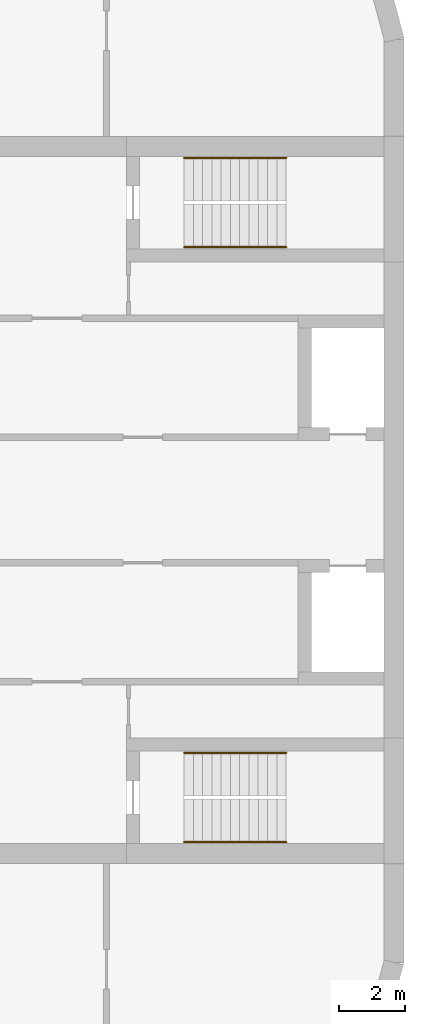
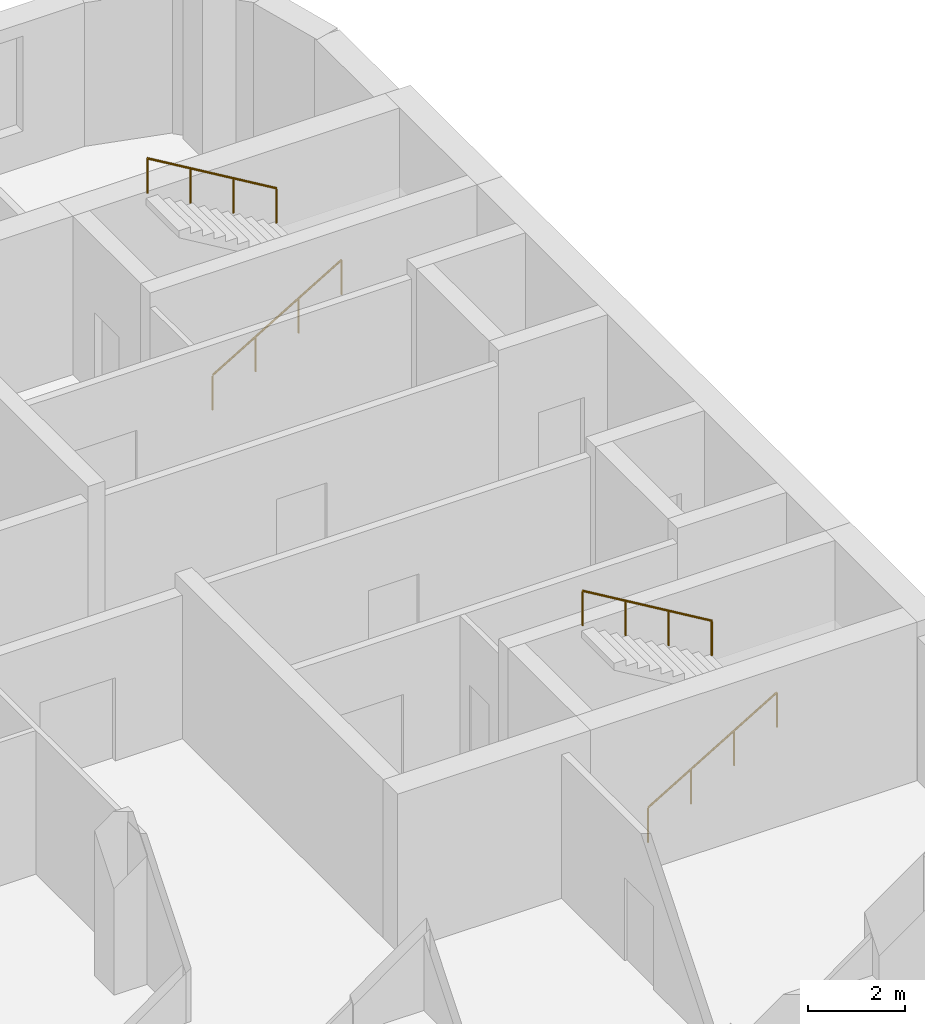
# One storey, part 12 of 12: 4 railings.
"""IFC4 building model written with IfcOpenShell, lengths in metres."""

import ifcopenshell
import ifcopenshell.guid

model = None  # the IFC model being written
_history = None  # IfcOwnerHistory: only IFC2X3 demands one
_inside = {}  # id of a spatial element -> (the spatial element, [elements in it])
_under = {}  # id of a project, library or spatial element -> (it, [spatial elements below it])
_declared = {}  # id of a project -> (the project, [libraries it declares])
_typed = {}  # id of a type object -> (the type object, [elements of that type])
_made_of = {}  # id of a material, layer set ... -> (it, [elements and type objects made of it])


def new_model(schema):
    """Start an empty IFC model of exactly this schema.

    Asked for "IFC4X3", IfcOpenShell would pick the latest addendum, in which some entities
    have other attributes; the version numbers below select the first issue.
    IFC2X3 requires an IfcOwnerHistory on every rooted entity: one is made here for all.
    """
    global model, _history
    if schema == "IFC4X3":
        model = ifcopenshell.file(schema_version=(4, 3, 0, 0))
    else:
        model = ifcopenshell.file(schema=schema)
    _inside.clear()
    _under.clear()
    _declared.clear()
    _typed.clear()
    _made_of.clear()
    _history = None
    if model.schema == "IFC2X3":
        org = make("IfcOrganization", Name="unknown")
        user = make(
            "IfcPersonAndOrganization",
            ThePerson=make("IfcPerson", FamilyName="unknown"),
            TheOrganization=org,
        )
        app = make(
            "IfcApplication",
            ApplicationDeveloper=org,
            Version="unknown",
            ApplicationFullName="unknown",
            ApplicationIdentifier="unknown",
        )
        _history = make(
            "IfcOwnerHistory",
            OwningUser=user,
            OwningApplication=app,
            ChangeAction="ADDED",
            CreationDate=0,
        )
    return model


def make(cls, **values):
    """One entity of the class cls with the attributes given. An attribute that is None is left unset."""
    return model.create_entity(
        cls, **{name: value for name, value in values.items() if value is not None}
    )


def rooted(cls, **values):
    """An entity with a GlobalId (a new one), such as an element, a storey or a relation."""
    return make(cls, GlobalId=ifcopenshell.guid.new(), OwnerHistory=_history, **values)


def si_unit(unit_type, name, prefix=None):
    """IfcSIUnit, for example si_unit("LENGTHUNIT", "METRE", prefix="MILLI")."""
    return make("IfcSIUnit", UnitType=unit_type, Prefix=prefix, Name=name)


def assignment(units):
    """IfcUnitAssignment: the units of a project."""
    return None if units is None else make("IfcUnitAssignment", Units=units)


def point(xyz):
    """IfcCartesianPoint."""
    return None if xyz is None else make("IfcCartesianPoint", Coordinates=xyz)


def direction(xyz):
    """IfcDirection."""
    return None if xyz is None else make("IfcDirection", DirectionRatios=xyz)


def frame(location, z_axis=None, x_axis=None):
    """IfcAxis2Placement3D, a coordinate frame: its origin and axes. An axis left out is left unset."""
    return make(
        "IfcAxis2Placement3D",
        Location=point(location),
        Axis=direction(z_axis),
        RefDirection=direction(x_axis),
    )


def frame_2d(location, x_axis=None):
    """IfcAxis2Placement2D, a coordinate frame in the plane: its origin and x axis."""
    return make(
        "IfcAxis2Placement2D", Location=point(location), RefDirection=direction(x_axis)
    )


def origin():
    """The frame at (0, 0, 0) with its axes left unset."""
    return frame((0.0, 0.0, 0.0))


def origin_2d():
    """The frame at (0, 0) in the plane with its x axis left unset."""
    return frame_2d((0.0, 0.0))


def place(relative_to, where):
    """IfcLocalPlacement: puts the frame where relative to a parent placement (None: the world)."""
    return make(
        "IfcLocalPlacement", PlacementRelTo=relative_to, RelativePlacement=where
    )


def context(
    kind, dimensions, precision=None, world=None, true_north=None, identifier=None
):
    """IfcGeometricRepresentationContext, for example the 3D "Model" context."""
    return make(
        "IfcGeometricRepresentationContext",
        ContextIdentifier=identifier,
        ContextType=kind,
        CoordinateSpaceDimension=dimensions,
        Precision=precision,
        WorldCoordinateSystem=world,
        TrueNorth=true_north,
    )


def subcontext(parent, identifier, kind, view, scale=None):
    """IfcGeometricRepresentationSubContext, for example "Body" below "Model"."""
    return make(
        "IfcGeometricRepresentationSubContext",
        ContextIdentifier=identifier,
        ContextType=kind,
        ParentContext=parent,
        TargetScale=scale,
        TargetView=view,
    )


def project(units=None, contexts=None):
    """IfcProject with its units and contexts."""
    return rooted(
        "IfcProject",
        Name="project",
        RepresentationContexts=contexts,
        UnitsInContext=assignment(units),
    )


def spatial(cls, under=None, at=None, **own):
    """A site, building, storey or space (cls), placed at a placement, below another one or the project."""
    s = rooted(cls, ObjectPlacement=at, **own)
    if under is not None:
        _under.setdefault(under.id(), (under, []))[1].append(s)
    return s


def profile(cls, at=None, kind="AREA", **sizes):
    """A parametric profile (cls). Its sizes go by their IFC names, for example OverallWidth=200.0."""
    return make(cls, ProfileType=kind, Position=at, **sizes)


def circle(**sizes):
    """IfcCircleProfileDef."""
    return profile("IfcCircleProfileDef", **sizes)


def extrude(swept, where, along, depth):
    """IfcExtrudedAreaSolid: the profile swept, set in the frame where, extruded along a direction by depth."""
    return make(
        "IfcExtrudedAreaSolid",
        SweptArea=swept,
        Position=where,
        ExtrudedDirection=direction(along),
        Depth=depth,
    )


def shape(context_of_items, identifier, shape_type, items):
    """IfcShapeRepresentation: the items that make up one representation, for example the "Body"."""
    return make(
        "IfcShapeRepresentation",
        ContextOfItems=context_of_items,
        RepresentationIdentifier=identifier,
        RepresentationType=shape_type,
        Items=items,
    )


def material(Name=None, Category=None):
    """IfcMaterial."""
    return make("IfcMaterial", Name=Name, Category=Category)


def made_of(thing, what):
    """Note that an element or type object is made of a material, layer set ...; save() writes the relation."""
    if what is not None:
        _made_of.setdefault(what.id(), (what, []))[1].append(thing)
    return thing


def type_object(cls, material=None, **own):
    """A type object (cls), such as IfcWallType, which elements share."""
    return made_of(rooted(cls, **own), material)


def element(
    cls,
    number,
    at=None,
    inside=None,
    cuts=None,
    type_object=None,
    material=None,
    context=None,
    identifier="Body",
    shape_type=None,
    held_by="IfcProductDefinitionShape",
    body=None,
    shapes=None,
    **own,
):
    """One element of the class cls, such as IfcWall. Its Tag is "e" and its number.

    at: its placement. inside: the storey or other place that contains it. cuts: it is an
    opening in that element (IfcRelVoidsElement). A single representation is given by context,
    identifier, shape_type and body (its items); several are given by shapes. held_by: the class
    of the entity that holds the representations. save() writes the other relations.
    """
    e = rooted(cls, Tag="e%d" % number, ObjectPlacement=at, **own)
    if body is not None:
        shapes = [shape(context, identifier, shape_type, body)]
    if shapes is not None:
        e.Representation = make(held_by, Representations=shapes)
    if inside is not None:
        _inside.setdefault(inside.id(), (inside, []))[1].append(e)
    if cuts is not None:
        rooted(
            "IfcRelVoidsElement", RelatingBuildingElement=cuts, RelatedOpeningElement=e
        )
    if type_object is not None:
        _typed.setdefault(type_object.id(), (type_object, []))[1].append(e)
    return made_of(e, material)


def aggregate(whole, parts):
    """IfcRelAggregates: a whole, such as a stair, and the parts it consists of."""
    return rooted("IfcRelAggregates", RelatingObject=whole, RelatedObjects=parts)


def save(model, path):
    """Write the relations noted so far, then the file.

    IfcRelAggregates (storeys below a building ...), IfcRelContainedInSpatialStructure (elements
    in a storey), IfcRelDefinesByType, IfcRelAssociatesMaterial and IfcRelDeclares: one each for
    every whole, place, type object, material and project.
    """
    for whole, parts in _under.values():
        aggregate(whole, parts)
    for where, things in _inside.values():
        rooted(
            "IfcRelContainedInSpatialStructure",
            RelatedElements=things,
            RelatingStructure=where,
        )
    for kind, things in _typed.values():
        rooted("IfcRelDefinesByType", RelatedObjects=things, RelatingType=kind)
    for what, things in _made_of.values():
        rooted("IfcRelAssociatesMaterial", RelatedObjects=things, RelatingMaterial=what)
    for by, libraries in _declared.values():
        rooted("IfcRelDeclares", RelatingContext=by, RelatedDefinitions=libraries)
    model.write(path)


model = new_model("IFC4")

# Units and contexts
model_context = context("Model", 3, precision=1e-05, world=origin(), true_north=direction((0.0, 1.0)))
body_context = subcontext(model_context, "Body", "Model", "MODEL_VIEW")
ifc_project = project(units=[si_unit("LENGTHUNIT", "METRE"), si_unit("AREAUNIT", "SQUARE_METRE"), si_unit("VOLUMEUNIT", "CUBIC_METRE"), si_unit("PLANEANGLEUNIT", "RADIAN"), si_unit("MASSUNIT", "GRAM", prefix="KILO")], contexts=[model_context])

# Site, building, storey
site_placement = place(None, origin())
site = spatial("IfcSite", under=ifc_project, at=site_placement, CompositionType="ELEMENT")
building_placement = place(site_placement, origin())
building = spatial("IfcBuilding", under=site, at=building_placement, Name="Skarvind Civic Tower", CompositionType="ELEMENT")
storey_placement = place(building_placement, frame((0.0, 0.0, 39.5)))
storey = spatial("IfcBuildingStorey", under=building, at=storey_placement, Name="L08", CompositionType="ELEMENT", Elevation=39.5)

# Railings
ifc_material = material(Name="Painted steel handrail", Category="steel")
railing_type = type_object("IfcRailingType", Name="Stair handrail 900", PredefinedType="HANDRAIL", material=ifc_material)
railing_1_placement = place(storey_placement, frame((160.35009765625, 135.64990234375, 0.166748046875)))
element("IfcRailing", 1, at=railing_1_placement, inside=storey, type_object=railing_type, Name="Stair handrail", PredefinedType="HANDRAIL", context=body_context, shape_type="SweptSolid", body=[
    extrude(circle(Radius=0.02392578125, at=origin_2d()), frame((0.0, 0.0, 0.8759765625), z_axis=(0.859290745958, 0.0, 0.51148745235), x_axis=(0.0, 1.0, 0.0)), (0.0, 0.0, 1.0), 3.584228515625),
    extrude(circle(Radius=0.02099609375, at=origin_2d()), origin(), (0.0, 0.0, 1.0), 0.851806640625),
    extrude(circle(Radius=0.02099609375, at=origin_2d()), frame((1.026611328125, 0.0, 0.611083984375)), (0.0, 0.0, 1.0), 0.851806640625),
    extrude(circle(Radius=0.02099609375, at=origin_2d()), frame((2.05322265625, 0.0, 1.22216796875)), (0.0, 0.0, 1.0), 0.851806640625),
    extrude(circle(Radius=0.02099609375, at=origin_2d()), frame((3.079833984375, 0.0, 1.833251953125)), (0.0, 0.0, 1.0), 0.851806640625),
])
railing_2_placement = place(storey_placement, frame((163.429931640625, 138.35009765625, 2.166748046875)))
element("IfcRailing", 2, at=railing_2_placement, inside=storey, type_object=railing_type, Name="Stair handrail", PredefinedType="HANDRAIL", context=body_context, shape_type="SweptSolid", body=[
    extrude(circle(Radius=0.02392578125, at=origin_2d()), frame((0.0, 0.0, 0.8759765625), z_axis=(-0.859290745958, 0.0, 0.51148745235), x_axis=(0.0, -1.0, 0.0)), (0.0, 0.0, 1.0), 3.584228515625),
    extrude(circle(Radius=0.02099609375, at=origin_2d()), origin(), (0.0, 0.0, 1.0), 0.851806640625),
    extrude(circle(Radius=0.02099609375, at=origin_2d()), frame((-1.026611328125, 0.0, 0.611083984375)), (0.0, 0.0, 1.0), 0.851806640625),
    extrude(circle(Radius=0.02099609375, at=origin_2d()), frame((-2.05322265625, 0.0, 1.22216796875)), (0.0, 0.0, 1.0), 0.851806640625),
    extrude(circle(Radius=0.02099609375, at=origin_2d()), frame((-3.079833984375, 0.0, 1.833251953125)), (0.0, 0.0, 1.0), 0.851806640625),
])
railing_3_placement = place(storey_placement, frame((160.35009765625, 117.64990234375, 0.166748046875)))
element("IfcRailing", 3, at=railing_3_placement, inside=storey, type_object=railing_type, Name="Stair handrail", PredefinedType="HANDRAIL", context=body_context, shape_type="SweptSolid", body=[
    extrude(circle(Radius=0.02392578125, at=origin_2d()), frame((0.0, 0.0, 0.8759765625), z_axis=(0.859290745958, 0.0, 0.51148745235), x_axis=(0.0, 1.0, 0.0)), (0.0, 0.0, 1.0), 3.584228515625),
    extrude(circle(Radius=0.02099609375, at=origin_2d()), origin(), (0.0, 0.0, 1.0), 0.851806640625),
    extrude(circle(Radius=0.02099609375, at=origin_2d()), frame((1.026611328125, 0.0, 0.611083984375)), (0.0, 0.0, 1.0), 0.851806640625),
    extrude(circle(Radius=0.02099609375, at=origin_2d()), frame((2.05322265625, 0.0, 1.22216796875)), (0.0, 0.0, 1.0), 0.851806640625),
    extrude(circle(Radius=0.02099609375, at=origin_2d()), frame((3.079833984375, 0.0, 1.833251953125)), (0.0, 0.0, 1.0), 0.851806640625),
])
railing_4_placement = place(storey_placement, frame((163.429931640625, 120.35009765625, 2.166748046875)))
element("IfcRailing", 4, at=railing_4_placement, inside=storey, type_object=railing_type, Name="Stair handrail", PredefinedType="HANDRAIL", context=body_context, shape_type="SweptSolid", body=[
    extrude(circle(Radius=0.02392578125, at=origin_2d()), frame((0.0, 0.0, 0.8759765625), z_axis=(-0.859290745958, 0.0, 0.51148745235), x_axis=(0.0, -1.0, 0.0)), (0.0, 0.0, 1.0), 3.584228515625),
    extrude(circle(Radius=0.02099609375, at=origin_2d()), origin(), (0.0, 0.0, 1.0), 0.851806640625),
    extrude(circle(Radius=0.02099609375, at=origin_2d()), frame((-1.026611328125, 0.0, 0.611083984375)), (0.0, 0.0, 1.0), 0.851806640625),
    extrude(circle(Radius=0.02099609375, at=origin_2d()), frame((-2.05322265625, 0.0, 1.22216796875)), (0.0, 0.0, 1.0), 0.851806640625),
    extrude(circle(Radius=0.02099609375, at=origin_2d()), frame((-3.079833984375, 0.0, 1.833251953125)), (0.0, 0.0, 1.0), 0.851806640625),
])

save(model, "model.ifc")
